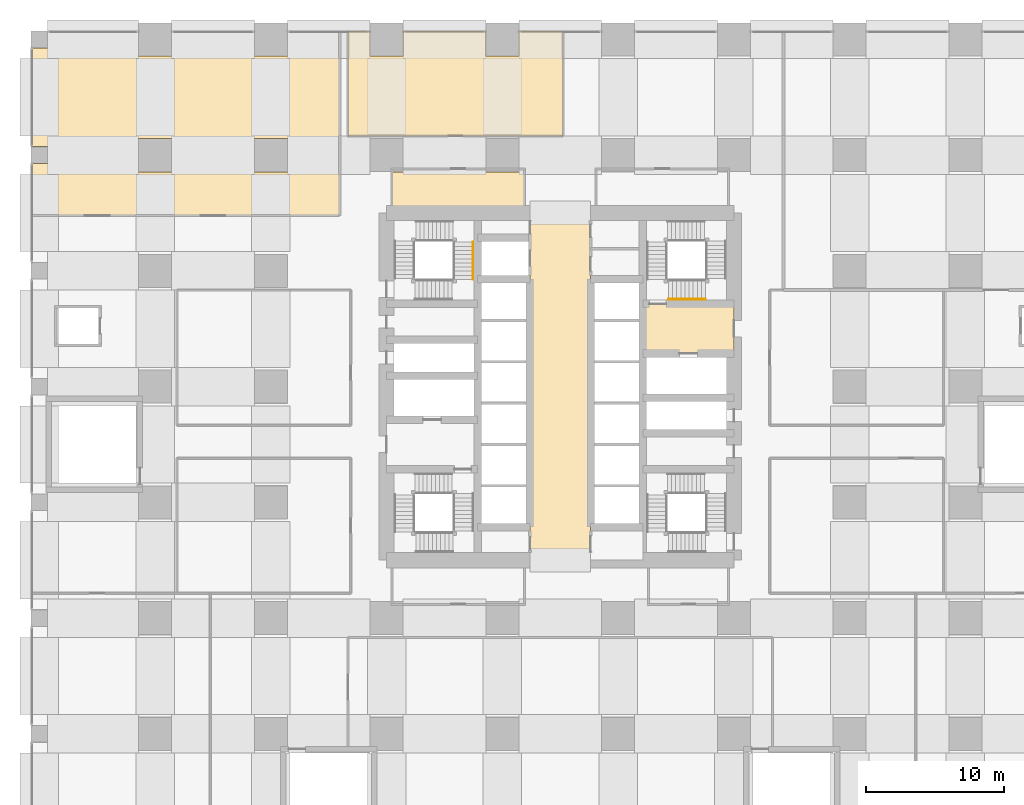
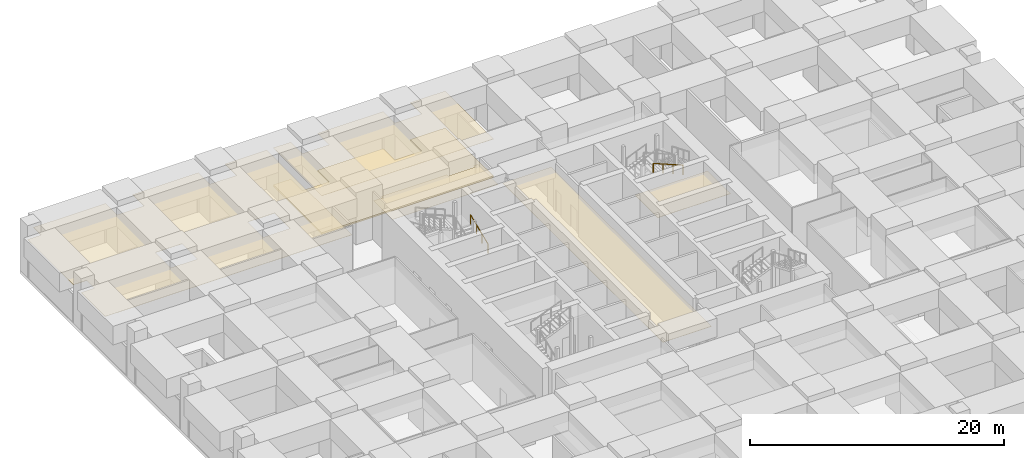
# One storey, part 50 of 52: 6 coverings, 2 railings.
"""IFC4 building model written with IfcOpenShell, lengths in metres."""

from ifc_helpers import new_model, si_unit, direction, frame, origin, origin_2d, place, context, subcontext, project, spatial, polyline, circle, outline, extrude, material, layer, layer_set, type_object, element, save


model = new_model("IFC4")

# Units and contexts
model_context = context("Model", 3, precision=1e-05, world=origin(), true_north=direction((0.0, 1.0)))
body_context = subcontext(model_context, "Body", "Model", "MODEL_VIEW")
ifc_project = project(units=[si_unit("LENGTHUNIT", "METRE"), si_unit("AREAUNIT", "SQUARE_METRE"), si_unit("VOLUMEUNIT", "CUBIC_METRE"), si_unit("PLANEANGLEUNIT", "RADIAN"), si_unit("MASSUNIT", "GRAM", prefix="KILO")], contexts=[model_context])

# Site, building, storey
site_placement = place(None, origin())
site = spatial("IfcSite", under=ifc_project, at=site_placement, CompositionType="ELEMENT")
building_placement = place(site_placement, origin())
building = spatial("IfcBuilding", under=site, at=building_placement, Name="Rekha Terrace Tower", CompositionType="ELEMENT")
storey_placement = place(building_placement, frame((0.0, 0.0, 20.39990234375)))
storey = spatial("IfcBuildingStorey", under=building, at=storey_placement, Name="L04", CompositionType="ELEMENT", Elevation=20.39990234375)

# Coverings
ifc_material_1 = material(Name="Mineral fibre tile in exposed grid", Category="finish")
ifc_layer_1 = layer(ifc_material_1, 0.02001953125)
ifc_layer_set_1 = layer_set([ifc_layer_1], Name="Mineral fibre tile in exposed grid")
covering_type_1 = type_object("IfcCoveringType", Name="CL1 600x1200 office grid ceiling", PredefinedType="CEILING", material=ifc_layer_set_1)
covering_1_placement = place(storey_placement, frame((0.0, 0.0, 3.68017578125)))
element("IfcCovering", 1, at=covering_1_placement, inside=storey, type_object=covering_type_1, Name="Ceiling L04-11", PredefinedType="CEILING", context=body_context, shape_type="SweptSolid", body=[
    extrude(outline(polyline([(22.39990234375, 59.39990234375), (22.39990234375, 51.800048828125), (38.0, 51.800048828125), (38.0, 59.39990234375), (34.81494140625, 59.39990234375), (34.81494140625, 57.5849609375), (32.385009765625, 57.5849609375), (32.385009765625, 59.39990234375), (26.4150390625, 59.39990234375), (26.4150390625, 57.5849609375), (23.985107421875, 57.5849609375), (23.985107421875, 59.39990234375), (22.39990234375, 59.39990234375)])), origin(), (0.0, 0.0, 1.0), 0.02001953125),
])
ifc_material_2 = material(Name="Fibre cement board", Category="finish")
ifc_layer_2 = layer(ifc_material_2, 0.014892578125)
ifc_layer_set_2 = layer_set([ifc_layer_2], Name="Fibre cement board")
covering_type_2 = type_object("IfcCoveringType", Name="CL2 moisture-resistant board ceiling", PredefinedType="CEILING", material=ifc_layer_set_2)
covering_2_placement = place(storey_placement, frame((0.0, 0.0, 3.68505859375)))
element("IfcCovering", 2, at=covering_2_placement, inside=storey, type_object=covering_type_2, Name="Ceiling L04-WCF2", PredefinedType="CEILING", context=body_context, shape_type="SweptSolid", body=[
    extrude(outline(polyline([(26.4150390625, 49.18505859375), (25.60009765625, 49.18505859375), (25.60009765625, 46.199951171875), (35.199951171875, 46.199951171875), (35.199951171875, 49.39990234375), (34.81494140625, 49.39990234375), (34.81494140625, 49.18505859375), (32.385009765625, 49.18505859375), (32.385009765625, 49.39990234375), (26.4150390625, 49.39990234375), (26.4150390625, 49.18505859375)])), origin(), (0.0, 0.0, 1.0), 0.01513671875),
])
ifc_material_3 = material(Name="Powder-coated aluminium pan", Category="aluminium")
ifc_layer_3 = layer(ifc_material_3, 0.030029296875)
ifc_layer_set_3 = layer_set([ifc_layer_3], Name="Powder-coated aluminium pan")
covering_type_3 = type_object("IfcCoveringType", Name="CL3 300x1200 metal pan ceiling", PredefinedType="CEILING", material=ifc_layer_set_3)
covering_3_placement = place(storey_placement, frame((0.0, 0.0, 3.670166015625)))
element("IfcCovering", 3, at=covering_3_placement, inside=storey, type_object=covering_type_3, Name="Ceiling L04-LOBBY", PredefinedType="CEILING", context=body_context, shape_type="SweptSolid", body=[
    extrude(outline(polyline([(40.0, 46.199951171875), (35.60009765625, 46.199951171875), (35.60009765625, 21.0), (40.0, 21.0), (40.0, 46.199951171875)])), origin(), (0.0, 0.0, 1.0), 0.030029296875),
])
covering_4_placement = place(storey_placement, frame((0.0, 0.0, 3.670166015625)))
element("IfcCovering", 4, at=covering_4_placement, inside=storey, type_object=covering_type_3, Name="Ceiling L04-FLB2", PredefinedType="CEILING", context=body_context, shape_type="SweptSolid", body=[
    extrude(outline(polyline([(50.39990234375, 39.60009765625), (43.800048828125, 39.60009765625), (43.800048828125, 36.0), (50.39990234375, 36.0), (50.39990234375, 39.60009765625)])), origin(), (0.0, 0.0, 1.0), 0.030029296875),
])
covering_5_placement = place(storey_placement, frame((0.0, 0.0, 3.670166015625)))
element("IfcCovering", 5, at=covering_5_placement, inside=storey, type_object=covering_type_3, Name="Ceiling L04-03", PredefinedType="CEILING", context=body_context, shape_type="SweptSolid", body=[
    extrude(outline(polyline([(-0.60009765625, 46.0), (21.800048828125, 46.0), (21.800048828125, 59.39990234375), (18.014892578125, 59.39990234375), (18.014892578125, 57.5849609375), (15.5849609375, 57.5849609375), (15.5849609375, 59.39990234375), (9.614990234375, 59.39990234375), (9.614990234375, 57.5849609375), (7.18505859375, 57.5849609375), (7.18505859375, 59.39990234375), (0.614990234375, 59.39990234375), (0.614990234375, 58.18505859375), (-0.60009765625, 58.18505859375), (-0.60009765625, 51.014892578125), (0.614990234375, 51.014892578125), (0.614990234375, 49.784912109375), (-0.60009765625, 49.784912109375), (-0.60009765625, 46.0)]), holes=[polyline([(18.014892578125, 49.18505859375), (15.5849609375, 49.18505859375), (15.5849609375, 51.614990234375), (18.014892578125, 51.614990234375), (18.014892578125, 49.18505859375)]), polyline([(9.614990234375, 49.18505859375), (7.18505859375, 49.18505859375), (7.18505859375, 51.614990234375), (9.614990234375, 51.614990234375), (9.614990234375, 49.18505859375)])]), origin(), (0.0, 0.0, 1.0), 0.030029296875),
])

# Railings
ifc_material_4 = material(Name="Stainless steel tube", Category="steel")
railing_type = type_object("IfcRailingType", Name="HR1 900 stair handrail", PredefinedType="HANDRAIL", material=ifc_material_4)
railing_1_placement = place(storey_placement, frame((48.35009765625, 39.93505859375, 3.875)))
element("IfcRailing", 6, at=railing_1_placement, inside=storey, type_object=railing_type, Name="Handrail ST2 L04 flight 4", PredefinedType="HANDRAIL", context=body_context, shape_type="SweptSolid", body=[
    extrude(circle(Radius=0.02392578125, at=origin_2d()), frame((0.0, 0.0, 0.8759765625), z_axis=(-0.923086799901, 0.0, 0.38459167938), x_axis=(0.0, -1.0, 0.0)), (0.0, 0.0, 1.0), 2.92529296875),
    extrude(circle(Radius=0.02099609375, at=origin_2d()), origin(), (0.0, 0.0, 1.0), 0.851806640625),
    extrude(circle(Radius=0.02099609375, at=origin_2d()), frame((-0.900146484375, 0.0, 0.375)), (0.0, 0.0, 1.0), 0.851806640625),
    extrude(circle(Radius=0.02099609375, at=origin_2d()), frame((-1.800048828125, 0.0, 0.75)), (0.0, 0.0, 1.0), 0.851806640625),
    extrude(circle(Radius=0.02099609375, at=origin_2d()), frame((-2.7001953125, 0.0, 1.125)), (0.0, 0.0, 1.0), 0.851806640625),
])
railing_2_placement = place(storey_placement, frame((31.465087890625, 41.375, 1.375)))
element("IfcRailing", 7, at=railing_2_placement, inside=storey, type_object=railing_type, Name="Handrail ST4 L04 flight 2", PredefinedType="HANDRAIL", context=body_context, shape_type="SweptSolid", body=[
    extrude(circle(Radius=0.02392578125, at=origin_2d()), frame((0.0, 0.0, 0.8759765625), z_axis=(0.0, 0.923074453586, 0.384621311341), x_axis=(-1.0, 0.0, 0.0)), (0.0, 0.0, 1.0), 2.925048828125),
    extrude(circle(Radius=0.02099609375, at=origin_2d()), origin(), (0.0, 0.0, 1.0), 0.851806640625),
    extrude(circle(Radius=0.02099609375, at=origin_2d()), frame((0.0, 0.89990234375, 0.375)), (0.0, 0.0, 1.0), 0.851806640625),
    extrude(circle(Radius=0.02099609375, at=origin_2d()), frame((0.0, 1.800048828125, 0.75)), (0.0, 0.0, 1.0), 0.851806640625),
    extrude(circle(Radius=0.02099609375, at=origin_2d()), frame((0.0, 2.699951171875, 1.125)), (0.0, 0.0, 1.0), 0.851806640625),
])

# Covering
ifc_material_5 = material(Name="Calcium sulphate panels on steel pedestals", Category="steel")
ifc_layer_4 = layer(ifc_material_5, 0.14990234375)
ifc_layer_set_4 = layer_set([ifc_layer_4], Name="Calcium sulphate panels on steel pedestals")
covering_type_4 = type_object("IfcCoveringType", Name="RF1 150 raised access floor", PredefinedType="FLOORING", material=ifc_layer_set_4)
covering_6_placement = place(storey_placement, origin())
element("IfcCovering", 8, at=covering_6_placement, inside=storey, type_object=covering_type_4, Name="Raised floor L04-11", PredefinedType="FLOORING", context=body_context, shape_type="SweptSolid", body=[
    extrude(outline(polyline([(22.39990234375, 59.39990234375), (22.39990234375, 51.800048828125), (38.0, 51.800048828125), (38.0, 59.39990234375), (34.81494140625, 59.39990234375), (34.81494140625, 57.5849609375), (32.385009765625, 57.5849609375), (32.385009765625, 59.39990234375), (26.4150390625, 59.39990234375), (26.4150390625, 57.5849609375), (23.985107421875, 57.5849609375), (23.985107421875, 59.39990234375), (22.39990234375, 59.39990234375)])), origin(), (0.0, 0.0, 1.0), 0.150146484375),
])

save(model, "model.ifc")
